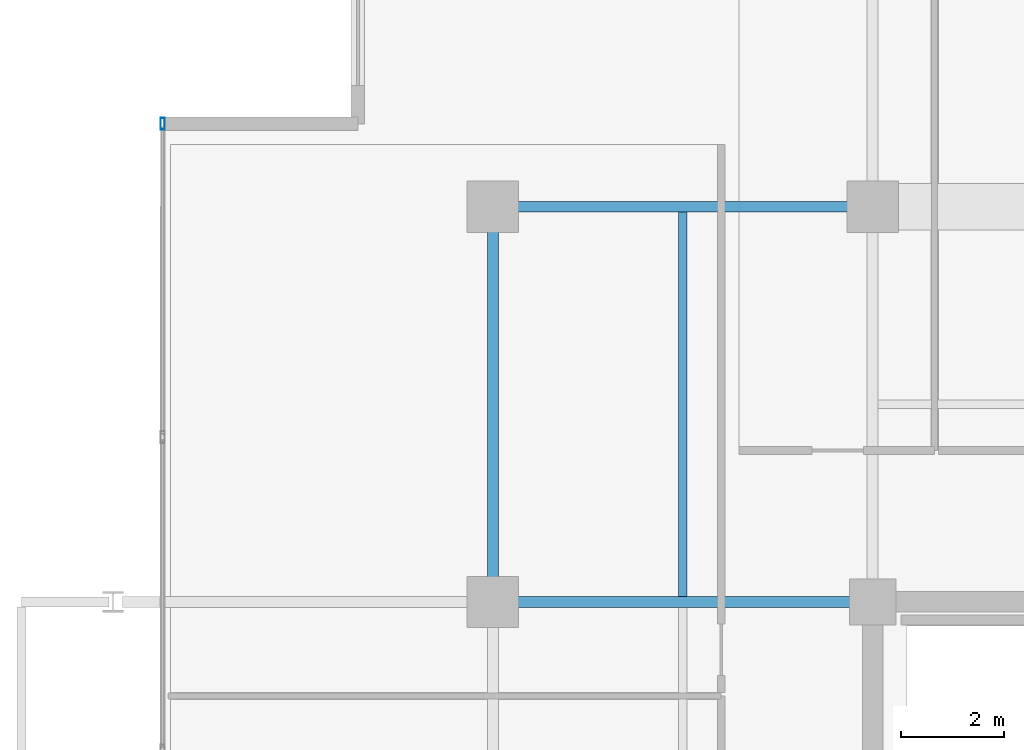
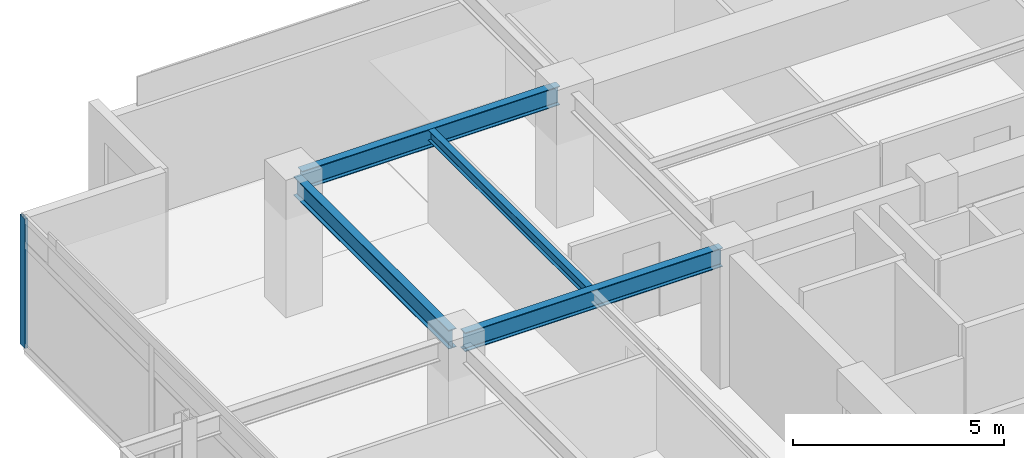
# One storey, part 10 of 21: 4 beams, 1 member, 1 element without a shape of its own.
"""IFC4 building model written with IfcOpenShell, lengths in metres."""

import ifcopenshell
import ifcopenshell.guid

model = None  # the IFC model being written
_history = None  # IfcOwnerHistory: only IFC2X3 demands one
_inside = {}  # id of a spatial element -> (the spatial element, [elements in it])
_under = {}  # id of a project, library or spatial element -> (it, [spatial elements below it])
_declared = {}  # id of a project -> (the project, [libraries it declares])
_typed = {}  # id of a type object -> (the type object, [elements of that type])
_made_of = {}  # id of a material, layer set ... -> (it, [elements and type objects made of it])


def new_model(schema):
    """Start an empty IFC model of exactly this schema.

    Asked for "IFC4X3", IfcOpenShell would pick the latest addendum, in which some entities
    have other attributes; the version numbers below select the first issue.
    IFC2X3 requires an IfcOwnerHistory on every rooted entity: one is made here for all.
    """
    global model, _history
    if schema == "IFC4X3":
        model = ifcopenshell.file(schema_version=(4, 3, 0, 0))
    else:
        model = ifcopenshell.file(schema=schema)
    _inside.clear()
    _under.clear()
    _declared.clear()
    _typed.clear()
    _made_of.clear()
    _history = None
    if model.schema == "IFC2X3":
        org = make("IfcOrganization", Name="unknown")
        user = make(
            "IfcPersonAndOrganization",
            ThePerson=make("IfcPerson", FamilyName="unknown"),
            TheOrganization=org,
        )
        app = make(
            "IfcApplication",
            ApplicationDeveloper=org,
            Version="unknown",
            ApplicationFullName="unknown",
            ApplicationIdentifier="unknown",
        )
        _history = make(
            "IfcOwnerHistory",
            OwningUser=user,
            OwningApplication=app,
            ChangeAction="ADDED",
            CreationDate=0,
        )
    return model


def make(cls, **values):
    """One entity of the class cls with the attributes given. An attribute that is None is left unset."""
    return model.create_entity(
        cls, **{name: value for name, value in values.items() if value is not None}
    )


def rooted(cls, **values):
    """An entity with a GlobalId (a new one), such as an element, a storey or a relation."""
    return make(cls, GlobalId=ifcopenshell.guid.new(), OwnerHistory=_history, **values)


def si_unit(unit_type, name, prefix=None):
    """IfcSIUnit, for example si_unit("LENGTHUNIT", "METRE", prefix="MILLI")."""
    return make("IfcSIUnit", UnitType=unit_type, Prefix=prefix, Name=name)


def assignment(units):
    """IfcUnitAssignment: the units of a project."""
    return None if units is None else make("IfcUnitAssignment", Units=units)


def point(xyz):
    """IfcCartesianPoint."""
    return None if xyz is None else make("IfcCartesianPoint", Coordinates=xyz)


def direction(xyz):
    """IfcDirection."""
    return None if xyz is None else make("IfcDirection", DirectionRatios=xyz)


def frame(location, z_axis=None, x_axis=None):
    """IfcAxis2Placement3D, a coordinate frame: its origin and axes. An axis left out is left unset."""
    return make(
        "IfcAxis2Placement3D",
        Location=point(location),
        Axis=direction(z_axis),
        RefDirection=direction(x_axis),
    )


def frame_2d(location, x_axis=None):
    """IfcAxis2Placement2D, a coordinate frame in the plane: its origin and x axis."""
    return make(
        "IfcAxis2Placement2D", Location=point(location), RefDirection=direction(x_axis)
    )


def origin():
    """The frame at (0, 0, 0) with its axes left unset."""
    return frame((0.0, 0.0, 0.0))


def origin_2d():
    """The frame at (0, 0) in the plane with its x axis left unset."""
    return frame_2d((0.0, 0.0))


def place(relative_to, where):
    """IfcLocalPlacement: puts the frame where relative to a parent placement (None: the world)."""
    return make(
        "IfcLocalPlacement", PlacementRelTo=relative_to, RelativePlacement=where
    )


def context(
    kind, dimensions, precision=None, world=None, true_north=None, identifier=None
):
    """IfcGeometricRepresentationContext, for example the 3D "Model" context."""
    return make(
        "IfcGeometricRepresentationContext",
        ContextIdentifier=identifier,
        ContextType=kind,
        CoordinateSpaceDimension=dimensions,
        Precision=precision,
        WorldCoordinateSystem=world,
        TrueNorth=true_north,
    )


def subcontext(parent, identifier, kind, view, scale=None):
    """IfcGeometricRepresentationSubContext, for example "Body" below "Model"."""
    return make(
        "IfcGeometricRepresentationSubContext",
        ContextIdentifier=identifier,
        ContextType=kind,
        ParentContext=parent,
        TargetScale=scale,
        TargetView=view,
    )


def project(units=None, contexts=None):
    """IfcProject with its units and contexts."""
    return rooted(
        "IfcProject",
        Name="project",
        RepresentationContexts=contexts,
        UnitsInContext=assignment(units),
    )


def spatial(cls, under=None, at=None, **own):
    """A site, building, storey or space (cls), placed at a placement, below another one or the project."""
    s = rooted(cls, ObjectPlacement=at, **own)
    if under is not None:
        _under.setdefault(under.id(), (under, []))[1].append(s)
    return s


def profile(cls, at=None, kind="AREA", **sizes):
    """A parametric profile (cls). Its sizes go by their IFC names, for example OverallWidth=200.0."""
    return make(cls, ProfileType=kind, Position=at, **sizes)


def hollow_rectangle(**sizes):
    """IfcRectangleHollowProfileDef."""
    return profile("IfcRectangleHollowProfileDef", **sizes)


def i_section(**sizes):
    """IfcIShapeProfileDef."""
    return profile("IfcIShapeProfileDef", **sizes)


def extrude(swept, where, along, depth):
    """IfcExtrudedAreaSolid: the profile swept, set in the frame where, extruded along a direction by depth."""
    return make(
        "IfcExtrudedAreaSolid",
        SweptArea=swept,
        Position=where,
        ExtrudedDirection=direction(along),
        Depth=depth,
    )


def shape(context_of_items, identifier, shape_type, items):
    """IfcShapeRepresentation: the items that make up one representation, for example the "Body"."""
    return make(
        "IfcShapeRepresentation",
        ContextOfItems=context_of_items,
        RepresentationIdentifier=identifier,
        RepresentationType=shape_type,
        Items=items,
    )


def material(Name=None, Category=None):
    """IfcMaterial."""
    return make("IfcMaterial", Name=Name, Category=Category)


def material_profile(
    of_material, cross_section, Name=None, Category=None, Priority=None
):
    """IfcMaterialProfile: a cross section and its material."""
    return make(
        "IfcMaterialProfile",
        Name=Name,
        Material=of_material,
        Profile=cross_section,
        Priority=Priority,
        Category=Category,
    )


def profile_set(profiles, Name=None, composite=None):
    """IfcMaterialProfileSet."""
    return make(
        "IfcMaterialProfileSet",
        Name=Name,
        MaterialProfiles=profiles,
        CompositeProfile=composite,
    )


def made_of(thing, what):
    """Note that an element or type object is made of a material, layer set ...; save() writes the relation."""
    if what is not None:
        _made_of.setdefault(what.id(), (what, []))[1].append(thing)
    return thing


def type_object(cls, material=None, **own):
    """A type object (cls), such as IfcWallType, which elements share."""
    return made_of(rooted(cls, **own), material)


def element(
    cls,
    number,
    at=None,
    inside=None,
    cuts=None,
    type_object=None,
    material=None,
    context=None,
    identifier="Body",
    shape_type=None,
    held_by="IfcProductDefinitionShape",
    body=None,
    shapes=None,
    **own,
):
    """One element of the class cls, such as IfcWall. Its Tag is "e" and its number.

    at: its placement. inside: the storey or other place that contains it. cuts: it is an
    opening in that element (IfcRelVoidsElement). A single representation is given by context,
    identifier, shape_type and body (its items); several are given by shapes. held_by: the class
    of the entity that holds the representations. save() writes the other relations.
    """
    e = rooted(cls, Tag="e%d" % number, ObjectPlacement=at, **own)
    if body is not None:
        shapes = [shape(context, identifier, shape_type, body)]
    if shapes is not None:
        e.Representation = make(held_by, Representations=shapes)
    if inside is not None:
        _inside.setdefault(inside.id(), (inside, []))[1].append(e)
    if cuts is not None:
        rooted(
            "IfcRelVoidsElement", RelatingBuildingElement=cuts, RelatedOpeningElement=e
        )
    if type_object is not None:
        _typed.setdefault(type_object.id(), (type_object, []))[1].append(e)
    return made_of(e, material)


def aggregate(whole, parts):
    """IfcRelAggregates: a whole, such as a stair, and the parts it consists of."""
    return rooted("IfcRelAggregates", RelatingObject=whole, RelatedObjects=parts)


def save(model, path):
    """Write the relations noted so far, then the file.

    IfcRelAggregates (storeys below a building ...), IfcRelContainedInSpatialStructure (elements
    in a storey), IfcRelDefinesByType, IfcRelAssociatesMaterial and IfcRelDeclares: one each for
    every whole, place, type object, material and project.
    """
    for whole, parts in _under.values():
        aggregate(whole, parts)
    for where, things in _inside.values():
        rooted(
            "IfcRelContainedInSpatialStructure",
            RelatedElements=things,
            RelatingStructure=where,
        )
    for kind, things in _typed.values():
        rooted("IfcRelDefinesByType", RelatedObjects=things, RelatingType=kind)
    for what, things in _made_of.values():
        rooted("IfcRelAssociatesMaterial", RelatedObjects=things, RelatingMaterial=what)
    for by, libraries in _declared.values():
        rooted("IfcRelDeclares", RelatingContext=by, RelatedDefinitions=libraries)
    model.write(path)


model = new_model("IFC4")

# Units and contexts
model_context = context("Model", 3, precision=1e-05, world=origin(), true_north=direction((0.0, 1.0)))
body_context = subcontext(model_context, "Body", "Model", "MODEL_VIEW")
ifc_project = project(units=[si_unit("LENGTHUNIT", "METRE"), si_unit("AREAUNIT", "SQUARE_METRE"), si_unit("VOLUMEUNIT", "CUBIC_METRE"), si_unit("PLANEANGLEUNIT", "RADIAN"), si_unit("MASSUNIT", "GRAM", prefix="KILO")], contexts=[model_context])

# Site, building, storey
site_placement = place(None, origin())
site = spatial("IfcSite", under=ifc_project, at=site_placement, CompositionType="ELEMENT")
building_placement = place(site_placement, origin())
building = spatial("IfcBuilding", under=site, at=building_placement, Name="Kovane Verandah Tower", CompositionType="ELEMENT")
storey_placement = place(building_placement, frame((0.0, 0.0, 326.800048828125)))
storey = spatial("IfcBuildingStorey", under=building, at=storey_placement, Name="L76", CompositionType="ELEMENT", Elevation=326.800048828125)

# Beams
ifc_material_1 = material(Name="Steel S355", Category="steel")
ifc_material_profile_1 = material_profile(ifc_material_1, i_section(OverallWidth=0.2119140625, OverallDepth=0.54443359375, WebThickness=0.0126953125, FlangeThickness=0.021240234375, FilletRadius=0.0126953125, at=origin_2d()), Name="UB533x210x122")
ifc_profile_set_1 = profile_set([ifc_material_profile_1], Name="Steel S355")
beam_type_1 = type_object("IfcBeamType", Name="BM-UB533x122", PredefinedType="BEAM", material=ifc_profile_set_1)
beam_1_placement = place(storey_placement, frame((21.780029296875, 44.199951171875, 3.5126953125), z_axis=(1.0, 0.0, 0.0), x_axis=(0.0, 1.0, 0.0)))
element("IfcBeam", 1, at=beam_1_placement, inside=storey, type_object=beam_type_1, Name="L76 Primary Tower Girder G-RN1", PredefinedType="BEAM", context=body_context, shape_type="SweptSolid", body=[
    extrude(i_section(OverallWidth=0.2119140625, OverallDepth=0.54443359375, WebThickness=0.0126953125, FlangeThickness=0.021240234375, FilletRadius=0.0126953125, at=origin_2d()), origin(), (0.0, 0.0, 1.0), 7.0400390625),
])
beam_2_placement = place(storey_placement, frame((21.60009765625, 36.679931640625, 3.5126953125), z_axis=(0.0, 1.0, 0.0), x_axis=(-1.0, 0.0, 0.0)))
element("IfcBeam", 2, at=beam_2_placement, inside=storey, type_object=beam_type_1, Name="L76 Primary Tower Girder G-RW3", PredefinedType="BEAM", context=body_context, shape_type="SweptSolid", body=[
    extrude(i_section(OverallWidth=0.2119140625, OverallDepth=0.54443359375, WebThickness=0.0126953125, FlangeThickness=0.021240234375, FilletRadius=0.0126953125, at=origin_2d()), origin(), (0.0, 0.0, 1.0), 7.340087890625),
])
beam_3_placement = place(storey_placement, frame((28.820068359375, 36.5, 3.5126953125), z_axis=(-1.0, 0.0, 0.0), x_axis=(0.0, -1.0, 0.0)))
element("IfcBeam", 3, at=beam_3_placement, inside=storey, type_object=beam_type_1, Name="L76 Primary Tower Girder G-W2", PredefinedType="BEAM", context=body_context, shape_type="SweptSolid", body=[
    extrude(i_section(OverallWidth=0.2119140625, OverallDepth=0.54443359375, WebThickness=0.0126953125, FlangeThickness=0.021240234375, FilletRadius=0.0126953125, at=origin_2d()), origin(), (0.0, 0.0, 1.0), 7.0400390625),
])

# Curtain wall, member
ifc_material_2 = material(Name="Champagne Anodised Aluminium Frame with Low-E Clear Laminated Glass", Category="aluminium")
curtain_wall_type = type_object("IfcCurtainWallType", Name="CW-SYS-05-HIGH", PredefinedType="NOTDEFINED", material=ifc_material_2)
curtain_wall_placement = place(storey_placement, origin())
curtain_wall = element("IfcCurtainWall", 4, at=curtain_wall_placement, inside=storey, type_object=curtain_wall_type, Name="L76 W Unitised Curtain Wall", PredefinedType="NOTDEFINED")
ifc_material_3 = material(Name="Champagne Anodised Aluminium 6063-T6", Category="aluminium")
ifc_material_profile_2 = material_profile(ifc_material_3, hollow_rectangle(XDim=0.0849609375, YDim=0.22998046875, WallThickness=0.00390625, at=origin_2d()), Name="AL85x230x4")
ifc_profile_set_2 = profile_set([ifc_material_profile_2], Name="Champagne Anodised Aluminium 6063-T6")
member_type = type_object("IfcMemberType", Name="CW-MUL-85x230", PredefinedType="MULLION", material=ifc_profile_set_2)
member_placement = place(storey_placement, frame((15.16845703125, 45.815673828125, 0.02001953125), z_axis=(0.0, 0.0, 1.0), x_axis=(-1.0, 0.0, 0.0)))
member = element("IfcMember", 5, at=member_placement, type_object=member_type, Name="L76 W Unitised Curtain Wall Mullion 1", PredefinedType="MULLION", context=body_context, shape_type="SweptSolid", body=[
    extrude(hollow_rectangle(XDim=0.0849609375, YDim=0.22998046875, WallThickness=0.00390625, at=origin_2d()), origin(), (0.0, 0.0, 1.0), 3.744873046875),
])
aggregate(curtain_wall, [member])

# Beam
ifc_material_profile_3 = material_profile(ifc_material_1, i_section(OverallWidth=0.1669921875, OverallDepth=0.310302734375, WebThickness=0.0078125, FlangeThickness=0.013671875, FilletRadius=0.0087890625, at=origin_2d()), Name="UB305x165x54")
ifc_profile_set_3 = profile_set([ifc_material_profile_3], Name="Steel S355")
beam_type_2 = type_object("IfcBeamType", Name="JST-UB305x54", PredefinedType="JOIST", material=ifc_profile_set_3)
beam_4_placement = place(storey_placement, frame((25.300048828125, 36.60400390625, 3.629638671875), z_axis=(0.0, 1.0, 0.0), x_axis=(-1.0, 0.0, 0.0)))
element("IfcBeam", 6, at=beam_4_placement, inside=storey, type_object=beam_type_2, Name="L76 Secondary Composite Joist J-NW1", PredefinedType="JOIST", context=body_context, shape_type="SweptSolid", body=[
    extrude(i_section(OverallWidth=0.1669921875, OverallDepth=0.310302734375, WebThickness=0.0078125, FlangeThickness=0.013671875, FilletRadius=0.0087890625, at=origin_2d()), origin(), (0.0, 0.0, 1.0), 7.491943359375),
])

save(model, "model.ifc")
